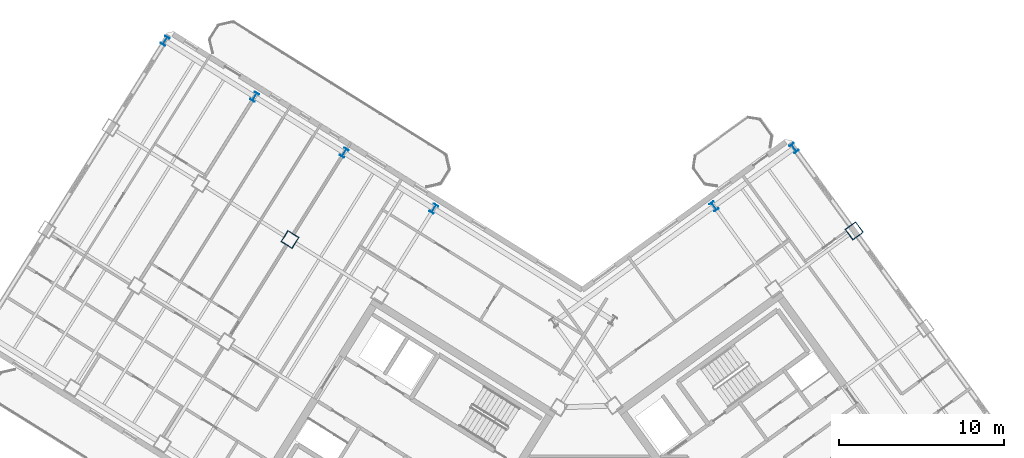
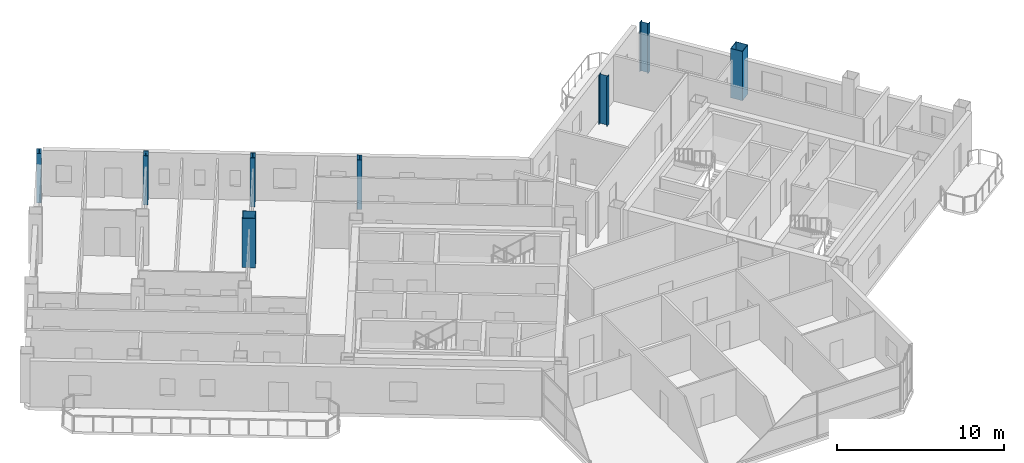
# One storey, part 3 of 20: 8 columns.
"""IFC4 building model written with IfcOpenShell, lengths in metres."""

import ifcopenshell
import ifcopenshell.guid

model = None  # the IFC model being written
_history = None  # IfcOwnerHistory: only IFC2X3 demands one
_inside = {}  # id of a spatial element -> (the spatial element, [elements in it])
_under = {}  # id of a project, library or spatial element -> (it, [spatial elements below it])
_declared = {}  # id of a project -> (the project, [libraries it declares])
_typed = {}  # id of a type object -> (the type object, [elements of that type])
_made_of = {}  # id of a material, layer set ... -> (it, [elements and type objects made of it])


def new_model(schema):
    """Start an empty IFC model of exactly this schema.

    Asked for "IFC4X3", IfcOpenShell would pick the latest addendum, in which some entities
    have other attributes; the version numbers below select the first issue.
    IFC2X3 requires an IfcOwnerHistory on every rooted entity: one is made here for all.
    """
    global model, _history
    if schema == "IFC4X3":
        model = ifcopenshell.file(schema_version=(4, 3, 0, 0))
    else:
        model = ifcopenshell.file(schema=schema)
    _inside.clear()
    _under.clear()
    _declared.clear()
    _typed.clear()
    _made_of.clear()
    _history = None
    if model.schema == "IFC2X3":
        org = make("IfcOrganization", Name="unknown")
        user = make(
            "IfcPersonAndOrganization",
            ThePerson=make("IfcPerson", FamilyName="unknown"),
            TheOrganization=org,
        )
        app = make(
            "IfcApplication",
            ApplicationDeveloper=org,
            Version="unknown",
            ApplicationFullName="unknown",
            ApplicationIdentifier="unknown",
        )
        _history = make(
            "IfcOwnerHistory",
            OwningUser=user,
            OwningApplication=app,
            ChangeAction="ADDED",
            CreationDate=0,
        )
    return model


def make(cls, **values):
    """One entity of the class cls with the attributes given. An attribute that is None is left unset."""
    return model.create_entity(
        cls, **{name: value for name, value in values.items() if value is not None}
    )


def rooted(cls, **values):
    """An entity with a GlobalId (a new one), such as an element, a storey or a relation."""
    return make(cls, GlobalId=ifcopenshell.guid.new(), OwnerHistory=_history, **values)


def si_unit(unit_type, name, prefix=None):
    """IfcSIUnit, for example si_unit("LENGTHUNIT", "METRE", prefix="MILLI")."""
    return make("IfcSIUnit", UnitType=unit_type, Prefix=prefix, Name=name)


def assignment(units):
    """IfcUnitAssignment: the units of a project."""
    return None if units is None else make("IfcUnitAssignment", Units=units)


def point(xyz):
    """IfcCartesianPoint."""
    return None if xyz is None else make("IfcCartesianPoint", Coordinates=xyz)


def direction(xyz):
    """IfcDirection."""
    return None if xyz is None else make("IfcDirection", DirectionRatios=xyz)


def frame(location, z_axis=None, x_axis=None):
    """IfcAxis2Placement3D, a coordinate frame: its origin and axes. An axis left out is left unset."""
    return make(
        "IfcAxis2Placement3D",
        Location=point(location),
        Axis=direction(z_axis),
        RefDirection=direction(x_axis),
    )


def frame_2d(location, x_axis=None):
    """IfcAxis2Placement2D, a coordinate frame in the plane: its origin and x axis."""
    return make(
        "IfcAxis2Placement2D", Location=point(location), RefDirection=direction(x_axis)
    )


def origin():
    """The frame at (0, 0, 0) with its axes left unset."""
    return frame((0.0, 0.0, 0.0))


def origin_2d():
    """The frame at (0, 0) in the plane with its x axis left unset."""
    return frame_2d((0.0, 0.0))


def place(relative_to, where):
    """IfcLocalPlacement: puts the frame where relative to a parent placement (None: the world)."""
    return make(
        "IfcLocalPlacement", PlacementRelTo=relative_to, RelativePlacement=where
    )


def context(
    kind, dimensions, precision=None, world=None, true_north=None, identifier=None
):
    """IfcGeometricRepresentationContext, for example the 3D "Model" context."""
    return make(
        "IfcGeometricRepresentationContext",
        ContextIdentifier=identifier,
        ContextType=kind,
        CoordinateSpaceDimension=dimensions,
        Precision=precision,
        WorldCoordinateSystem=world,
        TrueNorth=true_north,
    )


def subcontext(parent, identifier, kind, view, scale=None):
    """IfcGeometricRepresentationSubContext, for example "Body" below "Model"."""
    return make(
        "IfcGeometricRepresentationSubContext",
        ContextIdentifier=identifier,
        ContextType=kind,
        ParentContext=parent,
        TargetScale=scale,
        TargetView=view,
    )


def project(units=None, contexts=None):
    """IfcProject with its units and contexts."""
    return rooted(
        "IfcProject",
        Name="project",
        RepresentationContexts=contexts,
        UnitsInContext=assignment(units),
    )


def spatial(cls, under=None, at=None, **own):
    """A site, building, storey or space (cls), placed at a placement, below another one or the project."""
    s = rooted(cls, ObjectPlacement=at, **own)
    if under is not None:
        _under.setdefault(under.id(), (under, []))[1].append(s)
    return s


def profile(cls, at=None, kind="AREA", **sizes):
    """A parametric profile (cls). Its sizes go by their IFC names, for example OverallWidth=200.0."""
    return make(cls, ProfileType=kind, Position=at, **sizes)


def hollow_rectangle(**sizes):
    """IfcRectangleHollowProfileDef."""
    return profile("IfcRectangleHollowProfileDef", **sizes)


def i_section(**sizes):
    """IfcIShapeProfileDef."""
    return profile("IfcIShapeProfileDef", **sizes)


def extrude(swept, where, along, depth):
    """IfcExtrudedAreaSolid: the profile swept, set in the frame where, extruded along a direction by depth."""
    return make(
        "IfcExtrudedAreaSolid",
        SweptArea=swept,
        Position=where,
        ExtrudedDirection=direction(along),
        Depth=depth,
    )


def shape(context_of_items, identifier, shape_type, items):
    """IfcShapeRepresentation: the items that make up one representation, for example the "Body"."""
    return make(
        "IfcShapeRepresentation",
        ContextOfItems=context_of_items,
        RepresentationIdentifier=identifier,
        RepresentationType=shape_type,
        Items=items,
    )


def source(mapping_origin, context_of_items, identifier, shape_type, items):
    """IfcRepresentationMap: a shape defined once, which mapped items show again and again."""
    return make(
        "IfcRepresentationMap",
        MappingOrigin=mapping_origin,
        MappedRepresentation=shape(context_of_items, identifier, shape_type, items),
    )


def transform(
    local_origin,
    x_axis=None,
    y_axis=None,
    z_axis=None,
    scale=None,
    scale2=None,
    scale3=None,
    uniform=True,
):
    """IfcCartesianTransformationOperator3D, or its non-uniform kind. x_axis, y_axis, z_axis: its Axis1, 2, 3."""
    if uniform:
        return make(
            "IfcCartesianTransformationOperator3D",
            Axis1=direction(x_axis),
            Axis2=direction(y_axis),
            LocalOrigin=point(local_origin),
            Scale=scale,
            Axis3=direction(z_axis),
        )
    return make(
        "IfcCartesianTransformationOperator3DnonUniform",
        Axis1=direction(x_axis),
        Axis2=direction(y_axis),
        LocalOrigin=point(local_origin),
        Scale=scale,
        Axis3=direction(z_axis),
        Scale2=scale2,
        Scale3=scale3,
    )


def mapped(mapping_source, mapping_target):
    """IfcMappedItem: shows the shape of a source again, moved by a transform."""
    return make(
        "IfcMappedItem", MappingSource=mapping_source, MappingTarget=mapping_target
    )


def material(Name=None, Category=None):
    """IfcMaterial."""
    return make("IfcMaterial", Name=Name, Category=Category)


def material_profile(
    of_material, cross_section, Name=None, Category=None, Priority=None
):
    """IfcMaterialProfile: a cross section and its material."""
    return make(
        "IfcMaterialProfile",
        Name=Name,
        Material=of_material,
        Profile=cross_section,
        Priority=Priority,
        Category=Category,
    )


def profile_set(profiles, Name=None, composite=None):
    """IfcMaterialProfileSet."""
    return make(
        "IfcMaterialProfileSet",
        Name=Name,
        MaterialProfiles=profiles,
        CompositeProfile=composite,
    )


def made_of(thing, what):
    """Note that an element or type object is made of a material, layer set ...; save() writes the relation."""
    if what is not None:
        _made_of.setdefault(what.id(), (what, []))[1].append(thing)
    return thing


def type_object(cls, material=None, **own):
    """A type object (cls), such as IfcWallType, which elements share."""
    return made_of(rooted(cls, **own), material)


def element(
    cls,
    number,
    at=None,
    inside=None,
    cuts=None,
    type_object=None,
    material=None,
    context=None,
    identifier="Body",
    shape_type=None,
    held_by="IfcProductDefinitionShape",
    body=None,
    shapes=None,
    **own,
):
    """One element of the class cls, such as IfcWall. Its Tag is "e" and its number.

    at: its placement. inside: the storey or other place that contains it. cuts: it is an
    opening in that element (IfcRelVoidsElement). A single representation is given by context,
    identifier, shape_type and body (its items); several are given by shapes. held_by: the class
    of the entity that holds the representations. save() writes the other relations.
    """
    e = rooted(cls, Tag="e%d" % number, ObjectPlacement=at, **own)
    if body is not None:
        shapes = [shape(context, identifier, shape_type, body)]
    if shapes is not None:
        e.Representation = make(held_by, Representations=shapes)
    if inside is not None:
        _inside.setdefault(inside.id(), (inside, []))[1].append(e)
    if cuts is not None:
        rooted(
            "IfcRelVoidsElement", RelatingBuildingElement=cuts, RelatedOpeningElement=e
        )
    if type_object is not None:
        _typed.setdefault(type_object.id(), (type_object, []))[1].append(e)
    return made_of(e, material)


def aggregate(whole, parts):
    """IfcRelAggregates: a whole, such as a stair, and the parts it consists of."""
    return rooted("IfcRelAggregates", RelatingObject=whole, RelatedObjects=parts)


def save(model, path):
    """Write the relations noted so far, then the file.

    IfcRelAggregates (storeys below a building ...), IfcRelContainedInSpatialStructure (elements
    in a storey), IfcRelDefinesByType, IfcRelAssociatesMaterial and IfcRelDeclares: one each for
    every whole, place, type object, material and project.
    """
    for whole, parts in _under.values():
        aggregate(whole, parts)
    for where, things in _inside.values():
        rooted(
            "IfcRelContainedInSpatialStructure",
            RelatedElements=things,
            RelatingStructure=where,
        )
    for kind, things in _typed.values():
        rooted("IfcRelDefinesByType", RelatedObjects=things, RelatingType=kind)
    for what, things in _made_of.values():
        rooted("IfcRelAssociatesMaterial", RelatedObjects=things, RelatingMaterial=what)
    for by, libraries in _declared.values():
        rooted("IfcRelDeclares", RelatingContext=by, RelatedDefinitions=libraries)
    model.write(path)


model = new_model("IFC4")

# Units and contexts
model_context = context("Model", 3, precision=1e-05, world=origin(), true_north=direction((0.0, 1.0)))
body_context = subcontext(model_context, "Body", "Model", "MODEL_VIEW")
ifc_project = project(units=[si_unit("LENGTHUNIT", "METRE"), si_unit("AREAUNIT", "SQUARE_METRE"), si_unit("VOLUMEUNIT", "CUBIC_METRE"), si_unit("PLANEANGLEUNIT", "RADIAN"), si_unit("MASSUNIT", "GRAM", prefix="KILO")], contexts=[model_context])

# Site, building, storey
site_placement = place(None, origin())
site = spatial("IfcSite", under=ifc_project, at=site_placement, CompositionType="ELEMENT")
building_placement = place(site_placement, origin())
building = spatial("IfcBuilding", under=site, at=building_placement, Name="Tlacorven Tower", CompositionType="ELEMENT")
storey_placement = place(building_placement, frame((0.0, 0.0, 225.60009765625)))
storey = spatial("IfcBuildingStorey", under=building, at=storey_placement, Name="L57", CompositionType="ELEMENT", Elevation=225.60009765625)

# Columns
ifc_material = material(Name="Steel S460M", Category="steel")
ifc_material_profile_1 = material_profile(ifc_material, i_section(OverallWidth=0.300048828125, OverallDepth=0.550048828125, WebThickness=0.014892578125, FlangeThickness=0.029052734375, at=origin_2d()), Name="HEB 550")
ifc_profile_set_1 = profile_set([ifc_material_profile_1], Name="Steel S460M")
column_type_1 = type_object("IfcColumnType", Name="COL-TWR-P2", PredefinedType="COLUMN", material=ifc_profile_set_1)
shared_shape_1 = source(origin(), body_context, "Body", "SweptSolid", [
    extrude(i_section(OverallWidth=0.300048828125, OverallDepth=0.550048828125, WebThickness=0.014892578125, FlangeThickness=0.029052734375, at=origin_2d()), origin(), (0.0, 0.0, 1.0), 3.599853515625),
])
for number, where, z_axis, x_axis, name in (
    (1, (33.21337890625, 36.50927734375, 0.0), (0.0, 0.0, 1.0), (-0.848048096156, 0.529919264233, 0.0), "L57 column COL-L57-W3-1"),
    (2, (27.785888671875, 39.900634765625, 0.0), (0.0, 0.0, 1.0), (-0.848048096156, 0.529919264233, 0.0), "L57 column COL-L57-W4-1"),
    (3, (22.3583984375, 43.292236328125, 0.0), (0.0, 0.0, 1.0), (-0.848048096156, 0.529919264233, 0.0), "L57 column COL-L57-W5-1"),
    (4, (16.930908203125, 46.68359375, 0.0), (0.0, 0.0, 1.0), (-0.848048096156, 0.529919264233, 0.0), "L57 column COL-L57-W6-1"),
    (5, (50.187744140625, 36.654296875, 0.0), (0.0, 0.0, 1.0), (0.809016994375, 0.587785252292, 0.0), "L57 column COL-L57-E3-4"),
    (6, (55.041748046875, 40.18115234375, 0.0), (0.0, 0.0, 1.0), (0.809016994375, 0.587785252292, 0.0), "L57 column COL-L57-E4-4"),
):
    element("IfcColumn", number, at=place(storey_placement, frame(where, z_axis=z_axis, x_axis=x_axis)), inside=storey, type_object=column_type_1, Name=name, PredefinedType="COLUMN", context=body_context, shape_type="MappedRepresentation", body=[
        mapped(shared_shape_1, transform((0.0, 0.0, 0.0), scale=1.0)),
    ])
ifc_material_profile_2 = material_profile(ifc_material, hollow_rectangle(XDim=0.800048828125, YDim=0.800048828125, WallThickness=0.031982421875, at=origin_2d()), Name="BOX 800X800X32")
ifc_profile_set_2 = profile_set([ifc_material_profile_2], Name="Steel S460M")
column_type_2 = type_object("IfcColumnType", Name="COL-TWR-S3", PredefinedType="COLUMN", material=ifc_profile_set_2)
shared_shape_2 = source(origin(), body_context, "Body", "SweptSolid", [
    extrude(hollow_rectangle(XDim=0.800048828125, YDim=0.800048828125, WallThickness=0.031982421875, at=origin_2d()), origin(), (0.0, 0.0, 1.0), 3.599853515625),
])
for number, where, z_axis, x_axis, name in (
    (7, (24.50048828125, 34.642822265625, 0.0), (0.0, 0.0, 1.0), (-0.848048096156, 0.529919264233, 0.0), "L57 column COL-L57-W4-2"),
    (8, (58.68603515625, 35.165283203125, 0.0), (0.0, 0.0, 1.0), (0.809016994375, 0.587785252292, 0.0), "L57 column COL-L57-E4-3"),
):
    element("IfcColumn", number, at=place(storey_placement, frame(where, z_axis=z_axis, x_axis=x_axis)), inside=storey, type_object=column_type_2, Name=name, PredefinedType="COLUMN", context=body_context, shape_type="MappedRepresentation", body=[
        mapped(shared_shape_2, transform((0.0, 0.0, 0.0), scale=1.0)),
    ])

save(model, "model.ifc")
